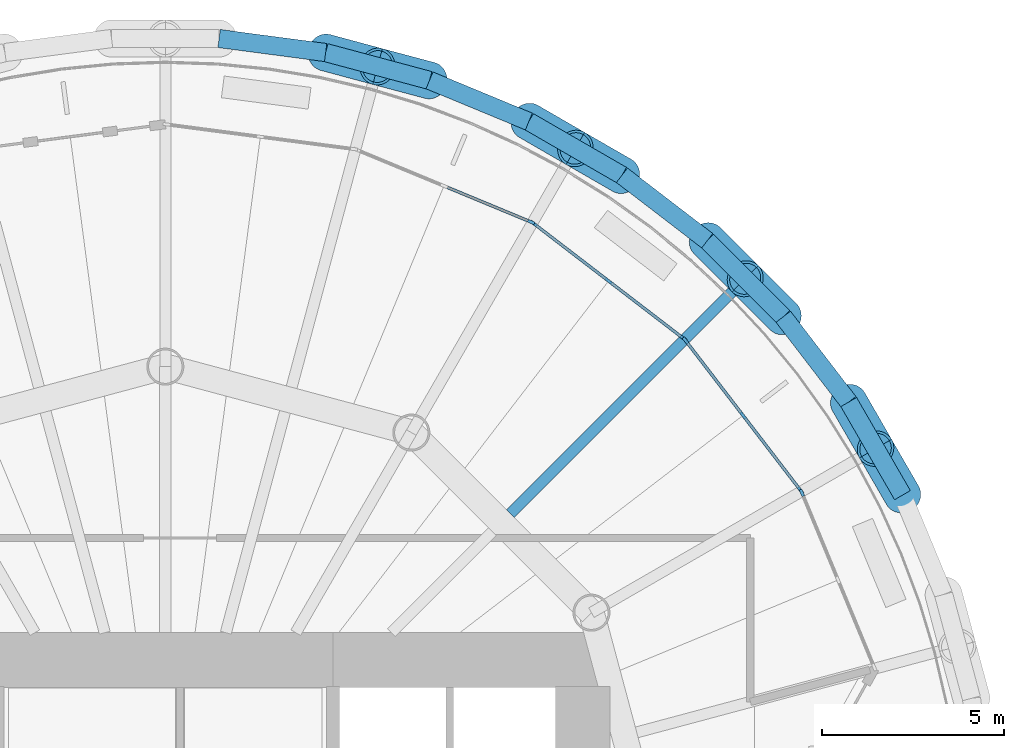
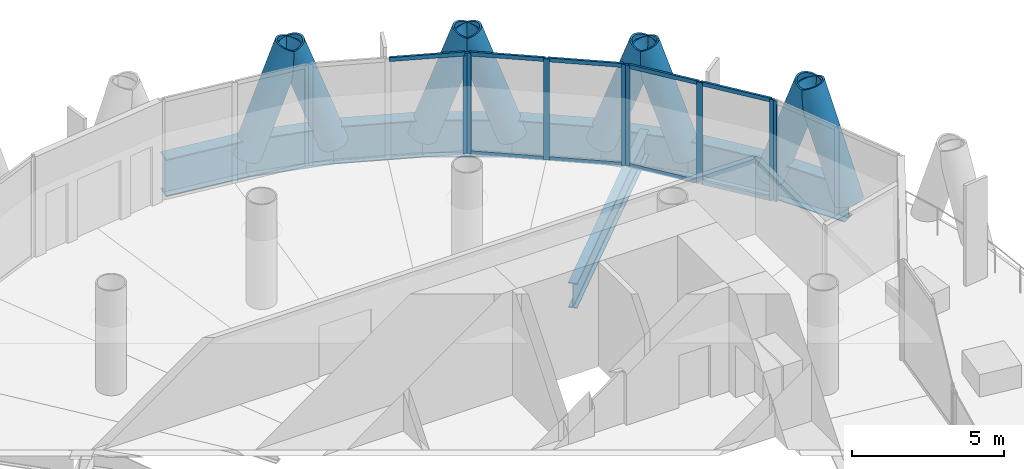
# One storey, part 6 of 13: 25 members, 9 beams, 4 elements without a shape of their own.
"""IFC4 building model written with IfcOpenShell, lengths in metres."""

from ifc_helpers import new_model, si_unit, direction, frame, origin, origin_2d, place, context, subcontext, project, spatial, rectangle, hollow_circle, i_section, extrude, material, material_profile, profile_set, type_object, element, aggregate, save


model = new_model("IFC4")

# Units and contexts
model_context = context("Model", 3, precision=1e-05, world=origin(), true_north=direction((0.0, 1.0)))
body_context = subcontext(model_context, "Body", "Model", "MODEL_VIEW")
ifc_project = project(units=[si_unit("LENGTHUNIT", "METRE"), si_unit("AREAUNIT", "SQUARE_METRE"), si_unit("VOLUMEUNIT", "CUBIC_METRE"), si_unit("PLANEANGLEUNIT", "RADIAN"), si_unit("MASSUNIT", "GRAM", prefix="KILO")], contexts=[model_context])

# Site, building, storey
site_placement = place(None, origin())
site = spatial("IfcSite", under=ifc_project, at=site_placement, CompositionType="ELEMENT")
building_placement = place(site_placement, origin())
building = spatial("IfcBuilding", under=site, at=building_placement, Name="Qaws Media Tower", CompositionType="ELEMENT")
storey_placement = place(building_placement, frame((0.0, 0.0, 223.39990234375)))
storey = spatial("IfcBuildingStorey", under=building, at=storey_placement, Name="L51", CompositionType="ELEMENT", Elevation=223.39990234375)

# Curtain wall, member
ifc_material_1 = material(Name="Aluminium and clear glass", Category="aluminium")
curtain_wall_type = type_object("IfcCurtainWallType", Name="Unitised curtain wall CW-C", PredefinedType="NOTDEFINED", material=ifc_material_1)
curtain_wall_1_placement = place(storey_placement, origin())
curtain_wall_1 = element("IfcCurtainWall", 1, at=curtain_wall_1_placement, inside=storey, type_object=curtain_wall_type, Name="CWC curtain wall L51-02", PredefinedType="NOTDEFINED")
ifc_material_2 = material(Name="Aluminium mullion", Category="aluminium")
ifc_material_profile_1 = material_profile(ifc_material_2, rectangle(XDim=0.080078125, YDim=0.199951171875, at=origin_2d()), Name="80x200")
ifc_profile_set_1 = profile_set([ifc_material_profile_1], Name="Aluminium mullion")
member_type_1 = type_object("IfcMemberType", Name="Curtain wall mullion 80x200", PredefinedType="MULLION", material=ifc_profile_set_1)
member_1_placement = place(storey_placement, frame((77.4658203125, 60.0380859375, 0.0), z_axis=(0.0, 0.0, 1.0), x_axis=(-0.92387956031, -0.382683365254, 0.0)))
member_1 = element("IfcMember", 2, at=member_1_placement, type_object=member_type_1, Name="CWC mullion 3", PredefinedType="MULLION", context=body_context, shape_type="SweptSolid", body=[
    extrude(rectangle(XDim=0.080078125, YDim=0.199951171875, at=origin_2d()), origin(), (0.0, 0.0, 1.0), 4.0400390625),
])
aggregate(curtain_wall_1, [member_1])

# Curtain wall, members
curtain_wall_2_placement = place(storey_placement, origin())
curtain_wall_2 = element("IfcCurtainWall", 3, at=curtain_wall_2_placement, inside=storey, type_object=curtain_wall_type, Name="CWC curtain wall L51-03", PredefinedType="NOTDEFINED")
member_2_placement = place(storey_placement, frame((77.426025390625, 60.106689453125, 0.0), z_axis=(0.0, 0.0, 1.0), x_axis=(-0.793353388114, -0.608761366685, 0.0)))
member_2 = element("IfcMember", 4, at=member_2_placement, type_object=member_type_1, Name="CWC mullion 1", PredefinedType="MULLION", context=body_context, shape_type="SweptSolid", body=[
    extrude(rectangle(XDim=0.080078125, YDim=0.199951171875, at=origin_2d()), origin(), (0.0, 0.0, 1.0), 4.0400390625),
])
member_3_placement = place(storey_placement, frame((75.849365234375, 62.16162109375, 0.0), z_axis=(0.0, 0.0, 1.0), x_axis=(-0.793353388114, -0.608761366685, 0.0)))
member_3 = element("IfcMember", 5, at=member_3_placement, type_object=member_type_1, Name="CWC mullion 2", PredefinedType="MULLION", context=body_context, shape_type="SweptSolid", body=[
    extrude(rectangle(XDim=0.080078125, YDim=0.199951171875, at=origin_2d()), origin(), (0.0, 0.0, 1.0), 4.0400390625),
])
member_4_placement = place(storey_placement, frame((74.2724609375, 64.216552734375, 0.0), z_axis=(0.0, 0.0, 1.0), x_axis=(-0.793353388114, -0.608761366685, 0.0)))
member_4 = element("IfcMember", 6, at=member_4_placement, type_object=member_type_1, Name="CWC mullion 3", PredefinedType="MULLION", context=body_context, shape_type="SweptSolid", body=[
    extrude(rectangle(XDim=0.080078125, YDim=0.199951171875, at=origin_2d()), origin(), (0.0, 0.0, 1.0), 4.0400390625),
])

curtain_wall_3_placement = place(storey_placement, origin())
curtain_wall_3 = element("IfcCurtainWall", 7, at=curtain_wall_3_placement, inside=storey, type_object=curtain_wall_type, Name="CWC curtain wall L51-04", PredefinedType="NOTDEFINED")
member_5_placement = place(storey_placement, frame((74.216552734375, 64.2724609375, 0.0), z_axis=(0.0, 0.0, 1.0), x_axis=(-0.608761366685, -0.793353388114, 0.0)))
member_5 = element("IfcMember", 8, at=member_5_placement, type_object=member_type_1, Name="CWC mullion 1", PredefinedType="MULLION", context=body_context, shape_type="SweptSolid", body=[
    extrude(rectangle(XDim=0.080078125, YDim=0.199951171875, at=origin_2d()), origin(), (0.0, 0.0, 1.0), 4.0400390625),
])
member_6_placement = place(storey_placement, frame((72.16162109375, 65.849365234375, 0.0), z_axis=(0.0, 0.0, 1.0), x_axis=(-0.608761366685, -0.793353388114, 0.0)))
member_6 = element("IfcMember", 9, at=member_6_placement, type_object=member_type_1, Name="CWC mullion 2", PredefinedType="MULLION", context=body_context, shape_type="SweptSolid", body=[
    extrude(rectangle(XDim=0.080078125, YDim=0.199951171875, at=origin_2d()), origin(), (0.0, 0.0, 1.0), 4.0400390625),
])
member_7_placement = place(storey_placement, frame((70.106689453125, 67.426025390625, 0.0), z_axis=(0.0, 0.0, 1.0), x_axis=(-0.608761366685, -0.793353388114, 0.0)))
member_7 = element("IfcMember", 10, at=member_7_placement, type_object=member_type_1, Name="CWC mullion 3", PredefinedType="MULLION", context=body_context, shape_type="SweptSolid", body=[
    extrude(rectangle(XDim=0.080078125, YDim=0.199951171875, at=origin_2d()), origin(), (0.0, 0.0, 1.0), 4.0400390625),
])

# Curtain wall, member
curtain_wall_4_placement = place(storey_placement, origin())
curtain_wall_4 = element("IfcCurtainWall", 11, at=curtain_wall_4_placement, inside=storey, type_object=curtain_wall_type, Name="CWC curtain wall L51-05", PredefinedType="NOTDEFINED")
member_8_placement = place(storey_placement, frame((70.0380859375, 67.4658203125, 0.0), z_axis=(0.0, 0.0, 1.0), x_axis=(-0.382683365254, -0.92387956031, 0.0)))
member_8 = element("IfcMember", 12, at=member_8_placement, type_object=member_type_1, Name="CWC mullion 1", PredefinedType="MULLION", context=body_context, shape_type="SweptSolid", body=[
    extrude(rectangle(XDim=0.080078125, YDim=0.199951171875, at=origin_2d()), origin(), (0.0, 0.0, 1.0), 4.0400390625),
])

# Member
ifc_material_3 = material(Name="Aluminium transom", Category="aluminium")
ifc_material_profile_2 = material_profile(ifc_material_3, rectangle(XDim=0.080078125, YDim=0.159912109375, at=origin_2d()), Name="80x160")
ifc_profile_set_2 = profile_set([ifc_material_profile_2], Name="Aluminium transom")
member_type_2 = type_object("IfcMemberType", Name="Curtain wall transom 80x160", PredefinedType="USERDEFINED", material=ifc_profile_set_2)
member_9_placement = place(storey_placement, frame((77.401611328125, 60.138427734375, 0.0400390625), z_axis=(-0.608694926571, 0.793404364979, 0.0), x_axis=(-0.793404364979, -0.608694926571, 0.0)))
member_9 = element("IfcMember", 13, at=member_9_placement, type_object=member_type_2, Name="CWC transom 1.1", ObjectType="TRANSOM", PredefinedType="USERDEFINED", context=body_context, shape_type="SweptSolid", body=[
    extrude(rectangle(XDim=0.080078125, YDim=0.159912109375, at=origin_2d()), origin(), (0.0, 0.0, 1.0), 2.510009765625),
])

member_10_placement = place(storey_placement, frame((77.401611328125, 60.138427734375, 4.0), z_axis=(-0.608694926571, 0.793404364979, 0.0), x_axis=(-0.793404364979, -0.608694926571, 0.0)))
member_10 = element("IfcMember", 14, at=member_10_placement, type_object=member_type_2, Name="CWC transom 1.2", ObjectType="TRANSOM", PredefinedType="USERDEFINED", context=body_context, shape_type="SweptSolid", body=[
    extrude(rectangle(XDim=0.080078125, YDim=0.159912109375, at=origin_2d()), origin(), (0.0, 0.0, 1.0), 2.510009765625),
])

member_11_placement = place(storey_placement, frame((75.824951171875, 62.193359375, 0.0400390625), z_axis=(-0.608756149587, 0.793357391306, 0.0), x_axis=(-0.793357391306, -0.608756149587, 0.0)))
member_11 = element("IfcMember", 15, at=member_11_placement, type_object=member_type_2, Name="CWC transom 2.1", ObjectType="TRANSOM", PredefinedType="USERDEFINED", context=body_context, shape_type="SweptSolid", body=[
    extrude(rectangle(XDim=0.080078125, YDim=0.159912109375, at=origin_2d()), origin(), (0.0, 0.0, 1.0), 2.51025390625),
])

member_12_placement = place(storey_placement, frame((75.824951171875, 62.193359375, 4.0), z_axis=(-0.608756149587, 0.793357391306, 0.0), x_axis=(-0.793357391306, -0.608756149587, 0.0)))
member_12 = element("IfcMember", 16, at=member_12_placement, type_object=member_type_2, Name="CWC transom 2.2", ObjectType="TRANSOM", PredefinedType="USERDEFINED", context=body_context, shape_type="SweptSolid", body=[
    extrude(rectangle(XDim=0.080078125, YDim=0.159912109375, at=origin_2d()), origin(), (0.0, 0.0, 1.0), 2.51025390625),
])

aggregate(curtain_wall_2, [member_2, member_3, member_4, member_9, member_10, member_11, member_12])

member_13_placement = place(storey_placement, frame((74.184814453125, 64.296875, 0.0400390625), z_axis=(-0.793357391306, 0.608756149587, 0.0), x_axis=(-0.608756149587, -0.793357391306, 0.0)))
member_13 = element("IfcMember", 17, at=member_13_placement, type_object=member_type_2, Name="CWC transom 1.1", ObjectType="TRANSOM", PredefinedType="USERDEFINED", context=body_context, shape_type="SweptSolid", body=[
    extrude(rectangle(XDim=0.080078125, YDim=0.159912109375, at=origin_2d()), origin(), (0.0, 0.0, 1.0), 2.51025390625),
])

member_14_placement = place(storey_placement, frame((74.184814453125, 64.296875, 4.0), z_axis=(-0.793357391306, 0.608756149587, 0.0), x_axis=(-0.608756149587, -0.793357391306, 0.0)))
member_14 = element("IfcMember", 18, at=member_14_placement, type_object=member_type_2, Name="CWC transom 1.2", ObjectType="TRANSOM", PredefinedType="USERDEFINED", context=body_context, shape_type="SweptSolid", body=[
    extrude(rectangle(XDim=0.080078125, YDim=0.159912109375, at=origin_2d()), origin(), (0.0, 0.0, 1.0), 2.51025390625),
])

member_15_placement = place(storey_placement, frame((72.1298828125, 65.873779296875, 0.0400390625), z_axis=(-0.793404364979, 0.608694926571, 0.0), x_axis=(-0.608694926571, -0.793404364979, 0.0)))
member_15 = element("IfcMember", 19, at=member_15_placement, type_object=member_type_2, Name="CWC transom 2.1", ObjectType="TRANSOM", PredefinedType="USERDEFINED", context=body_context, shape_type="SweptSolid", body=[
    extrude(rectangle(XDim=0.080078125, YDim=0.159912109375, at=origin_2d()), origin(), (0.0, 0.0, 1.0), 2.510009765625),
])

member_16_placement = place(storey_placement, frame((72.1298828125, 65.873779296875, 4.0), z_axis=(-0.793404364979, 0.608694926571, 0.0), x_axis=(-0.608694926571, -0.793404364979, 0.0)))
member_16 = element("IfcMember", 20, at=member_16_placement, type_object=member_type_2, Name="CWC transom 2.2", ObjectType="TRANSOM", PredefinedType="USERDEFINED", context=body_context, shape_type="SweptSolid", body=[
    extrude(rectangle(XDim=0.080078125, YDim=0.159912109375, at=origin_2d()), origin(), (0.0, 0.0, 1.0), 2.510009765625),
])

aggregate(curtain_wall_3, [member_5, member_6, member_7, member_13, member_14, member_15, member_16])

member_17_placement = place(storey_placement, frame((70.0009765625, 67.48095703125, 4.0), z_axis=(-0.92385203285, 0.382749815673, 0.0), x_axis=(-0.382749815673, -0.92385203285, 0.0)))
member_17 = element("IfcMember", 21, at=member_17_placement, type_object=member_type_2, Name="CWC transom 1.2", ObjectType="TRANSOM", PredefinedType="USERDEFINED", context=body_context, shape_type="SweptSolid", body=[
    extrude(rectangle(XDim=0.080078125, YDim=0.159912109375, at=origin_2d()), origin(), (0.0, 0.0, 1.0), 2.510009765625),
])

aggregate(curtain_wall_4, [member_8, member_17])

# Members
ifc_material_4 = material(Name="Steel S460", Category="steel")
ifc_material_profile_3 = material_profile(ifc_material_4, hollow_circle(Radius=0.508056640625, WallThickness=0.070068359375, at=origin_2d()), Name="CHS 1016x70")
ifc_profile_set_3 = profile_set([ifc_material_profile_3], Name="Steel S460")
member_type_3 = type_object("IfcMemberType", Name="Diagrid member CHS 1016x70", PredefinedType="USERDEFINED", material=ifc_profile_set_3)
for number, where, z_axis, x_axis, name in (
    (22, (80.224365234375, 59.9736328125, -0.909912109375), (-0.165965415689, 0.286737340788, 0.943523809023), (-0.865479173236, -0.500944907845, 0.0), "DG3 diagrid L51 A02"),
    (23, (76.9541015625, 64.8681640625, -0.909912109375), (-0.234574341367, 0.234025886045, 0.94350769103), (-0.706278691182, -0.707933902551, 0.0), "DG3 diagrid L51 A03"),
    (24, (78.749755859375, 62.528076171875, -0.909912109375), (0.16530706885, -0.287120937435, 0.943522729072), (0.866628964438, 0.498953142085, 0.0), "DG3 diagrid L51 B03"),
    (25, (72.528076171875, 68.749755859375, -0.909912109375), (-0.287120937435, 0.16530706885, 0.943522729072), (-0.498953142085, -0.866628964438, 0.0), "DG3 diagrid L51 A04"),
    (26, (74.8681640625, 66.9541015625, -0.909912109375), (0.234025886045, -0.234574341367, 0.94350769103), (0.707933902551, 0.706278691182, 0.0), "DG3 diagrid L51 B04"),
    (27, (67.24853515625, 71.353271484375, -0.909912109375), (-0.320135875408, 0.085395161557, 0.943515070181), (-0.257734769998, -0.966215704868, 0.0), "DG3 diagrid L51 A05"),
    (28, (69.9736328125, 70.224365234375, -0.909912109375), (0.286737340788, -0.165965415689, 0.943523809023), (0.500944907845, 0.865479173236, 0.0), "DG3 diagrid L51 B05"),
    (29, (64.399169921875, 72.11669921875, -0.909912109375), (0.319968624274, -0.086107428884, 0.943507069487), (0.25986662575, 0.965644518869, 0.0), "DG3 diagrid L51 B06"),
):
    element("IfcMember", number, at=place(storey_placement, frame(where, z_axis=z_axis, x_axis=x_axis)), inside=storey, type_object=member_type_3, Name=name, ObjectType="DIAGRID", PredefinedType="USERDEFINED", context=body_context, shape_type="SweptSolid", body=[
        extrude(hollow_circle(Radius=0.508056640625, WallThickness=0.070068359375, at=origin_2d()), origin(), (0.0, 0.0, 1.0), 4.451416015625),
    ])

# Beams
ifc_material_5 = material(Name="Steel S460", Category="steel")
ifc_material_profile_4 = material_profile(ifc_material_5, i_section(OverallWidth=0.5, OverallDepth=1.5, WebThickness=0.02001953125, FlangeThickness=0.0400390625, at=origin_2d()), Name="PG 1500x500")
ifc_profile_set_4 = profile_set([ifc_material_profile_4], Name="Steel S460")
beam_type_1 = type_object("IfcBeamType", Name="Edge ring beam PG 1500x500", PredefinedType="BEAM", material=ifc_profile_set_4)
beam_1_placement = place(storey_placement, frame((80.224365234375, 59.9736328125, -0.909912109375), z_axis=(-0.499949350311, 0.866054644421, 0.0), x_axis=(-0.866054644421, -0.499949350311, 0.0)))
element("IfcBeam", 30, at=beam_1_placement, inside=storey, type_object=beam_type_1, Name="RB4 edge ring beam L51-04", PredefinedType="BEAM", context=body_context, shape_type="SweptSolid", body=[
    extrude(i_section(OverallWidth=0.5, OverallDepth=1.5, WebThickness=0.02001953125, FlangeThickness=0.0400390625, at=origin_2d()), origin(), (0.0, 0.0, 1.0), 2.949462890625),
])
beam_2_placement = place(storey_placement, frame((78.749755859375, 62.528076171875, -0.909912109375), z_axis=(-0.608770328015, 0.793346511764, 0.0), x_axis=(-0.793346511764, -0.608770328015, 0.0)))
element("IfcBeam", 31, at=beam_2_placement, inside=storey, type_object=beam_type_1, Name="RB4 edge ring beam L51-05", PredefinedType="BEAM", context=body_context, shape_type="SweptSolid", body=[
    extrude(i_section(OverallWidth=0.5, OverallDepth=1.5, WebThickness=0.02001953125, FlangeThickness=0.0400390625, at=origin_2d()), origin(), (0.0, 0.0, 1.0), 2.94970703125),
])
beam_3_placement = place(storey_placement, frame((76.9541015625, 64.8681640625, -0.909912109375), z_axis=(-0.707106781187, 0.707106781187, 0.0), x_axis=(-0.707106781187, -0.707106781187, 0.0)))
element("IfcBeam", 32, at=beam_3_placement, inside=storey, type_object=beam_type_1, Name="RB4 edge ring beam L51-06", PredefinedType="BEAM", context=body_context, shape_type="SweptSolid", body=[
    extrude(i_section(OverallWidth=0.5, OverallDepth=1.5, WebThickness=0.02001953125, FlangeThickness=0.0400390625, at=origin_2d()), origin(), (0.0, 0.0, 1.0), 2.949951171875),
])
beam_4_placement = place(storey_placement, frame((74.8681640625, 66.9541015625, -0.909912109375), z_axis=(-0.793346511764, 0.608770328015, 0.0), x_axis=(-0.608770328015, -0.793346511764, 0.0)))
element("IfcBeam", 33, at=beam_4_placement, inside=storey, type_object=beam_type_1, Name="RB4 edge ring beam L51-07", PredefinedType="BEAM", context=body_context, shape_type="SweptSolid", body=[
    extrude(i_section(OverallWidth=0.5, OverallDepth=1.5, WebThickness=0.02001953125, FlangeThickness=0.0400390625, at=origin_2d()), origin(), (0.0, 0.0, 1.0), 2.94970703125),
])
beam_5_placement = place(storey_placement, frame((72.528076171875, 68.749755859375, -0.909912109375), z_axis=(-0.866054644421, 0.499949350311, 0.0), x_axis=(-0.499949350311, -0.866054644421, 0.0)))
element("IfcBeam", 34, at=beam_5_placement, inside=storey, type_object=beam_type_1, Name="RB4 edge ring beam L51-08", PredefinedType="BEAM", context=body_context, shape_type="SweptSolid", body=[
    extrude(i_section(OverallWidth=0.5, OverallDepth=1.5, WebThickness=0.02001953125, FlangeThickness=0.0400390625, at=origin_2d()), origin(), (0.0, 0.0, 1.0), 2.949462890625),
])
beam_6_placement = place(storey_placement, frame((69.9736328125, 70.224365234375, -0.909912109375), z_axis=(-0.92386348916, 0.382722162146, 0.0), x_axis=(-0.382722162146, -0.92386348916, 0.0)))
element("IfcBeam", 35, at=beam_6_placement, inside=storey, type_object=beam_type_1, Name="RB4 edge ring beam L51-09", PredefinedType="BEAM", context=body_context, shape_type="SweptSolid", body=[
    extrude(i_section(OverallWidth=0.5, OverallDepth=1.5, WebThickness=0.02001953125, FlangeThickness=0.0400390625, at=origin_2d()), origin(), (0.0, 0.0, 1.0), 2.94970703125),
])
beam_7_placement = place(storey_placement, frame((67.24853515625, 71.353271484375, -0.909912109375), z_axis=(-0.965930688978, 0.258800896618, 0.0), x_axis=(-0.258800896618, -0.965930688978, 0.0)))
element("IfcBeam", 36, at=beam_7_placement, inside=storey, type_object=beam_type_1, Name="RB4 edge ring beam L51-10", PredefinedType="BEAM", context=body_context, shape_type="SweptSolid", body=[
    extrude(i_section(OverallWidth=0.5, OverallDepth=1.5, WebThickness=0.02001953125, FlangeThickness=0.0400390625, at=origin_2d()), origin(), (0.0, 0.0, 1.0), 2.949951171875),
])
beam_8_placement = place(storey_placement, frame((64.399169921875, 72.11669921875, -0.909912109375), z_axis=(-0.991444150288, 0.130531593338, 0.0), x_axis=(-0.130531593338, -0.991444150288, 0.0)))
element("IfcBeam", 37, at=beam_8_placement, inside=storey, type_object=beam_type_1, Name="RB4 edge ring beam L51-11", PredefinedType="BEAM", context=body_context, shape_type="SweptSolid", body=[
    extrude(i_section(OverallWidth=0.5, OverallDepth=1.5, WebThickness=0.02001953125, FlangeThickness=0.0400390625, at=origin_2d()), origin(), (0.0, 0.0, 1.0), 2.949462890625),
])
ifc_material_6 = material(Name="Steel S355", Category="steel")
ifc_material_profile_5 = material_profile(ifc_material_6, i_section(OverallWidth=0.302001953125, OverallDepth=1.008056640625, WebThickness=0.02099609375, FlangeThickness=0.0400390625, FilletRadius=0.030029296875, at=origin_2d()), Name="HE 1000 M")
ifc_profile_set_5 = profile_set([ifc_material_profile_5], Name="Steel S355")
beam_type_2 = type_object("IfcBeamType", Name="Radial beam HE 1000 M", PredefinedType="BEAM", material=ifc_profile_set_5)
beam_9_placement = place(storey_placement, frame((69.46826171875, 59.46826171875, -0.663818359375), z_axis=(0.707106781187, 0.707106781187, 0.0), x_axis=(-0.707106781187, 0.707106781187, 0.0)))
element("IfcBeam", 38, at=beam_9_placement, inside=storey, type_object=beam_type_2, Name="B1 radial beam L51 04", PredefinedType="BEAM", context=body_context, shape_type="SweptSolid", body=[
    extrude(i_section(OverallWidth=0.302001953125, OverallDepth=1.008056640625, WebThickness=0.02099609375, FlangeThickness=0.0400390625, FilletRadius=0.030029296875, at=origin_2d()), origin(), (0.0, 0.0, 1.0), 9.111572265625),
])

save(model, "model.ifc")
